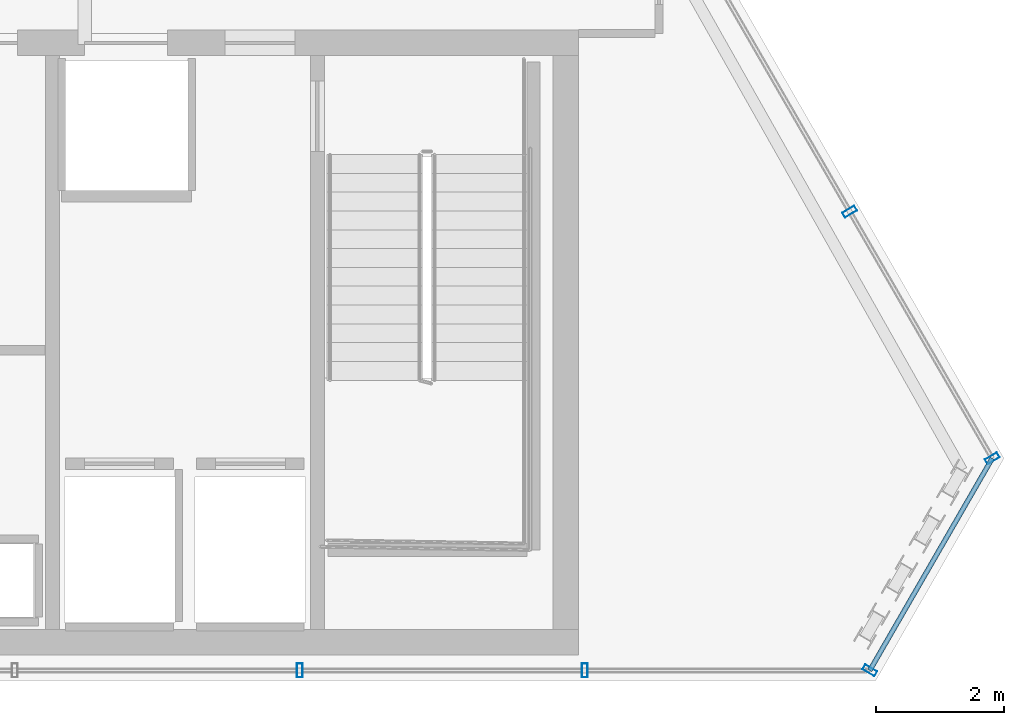
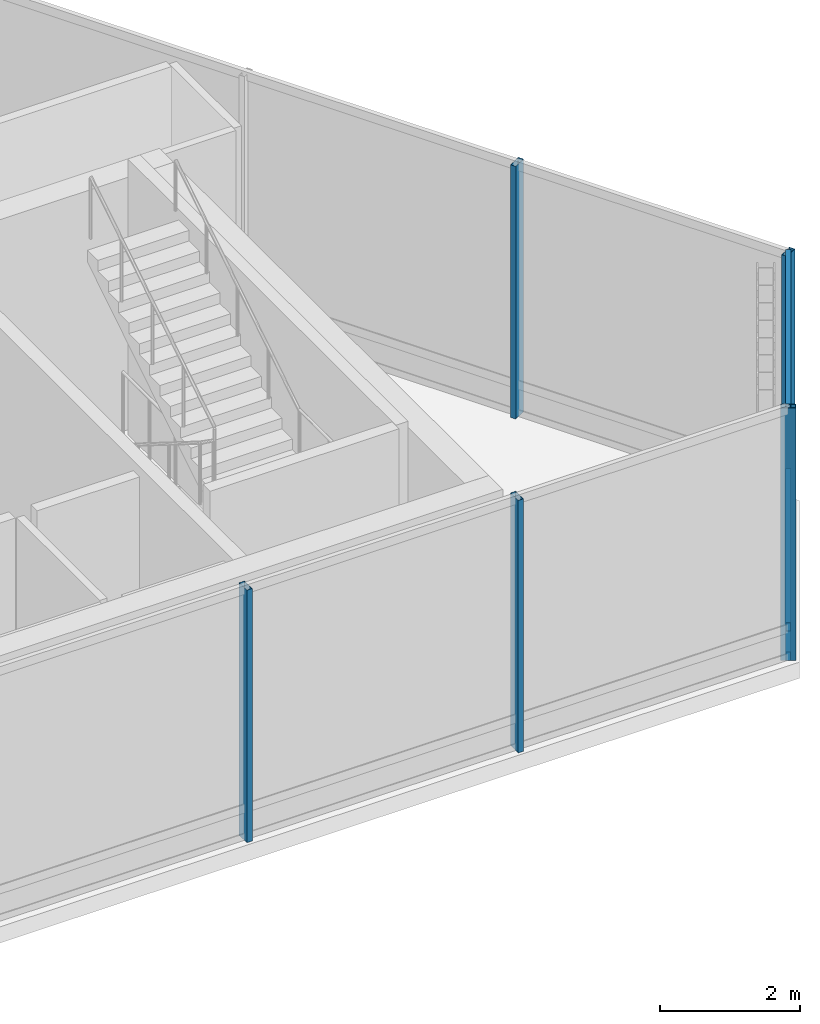
# One storey, part 14 of 25: 8 members, 3 elements without a shape of their own.
"""IFC4 building model written with IfcOpenShell, lengths in metres."""

from ifc_helpers import new_model, si_unit, direction, frame, origin, origin_2d, place, context, subcontext, project, spatial, hollow_rectangle, extrude, material, layer, layer_set, material_profile, profile_set, type_object, element, aggregate, save


model = new_model("IFC4")

# Units and contexts
model_context = context("Model", 3, precision=1e-05, world=origin(), true_north=direction((0.0, 1.0)))
body_context = subcontext(model_context, "Body", "Model", "MODEL_VIEW")
ifc_project = project(units=[si_unit("LENGTHUNIT", "METRE"), si_unit("AREAUNIT", "SQUARE_METRE"), si_unit("VOLUMEUNIT", "CUBIC_METRE"), si_unit("PLANEANGLEUNIT", "RADIAN"), si_unit("MASSUNIT", "GRAM", prefix="KILO")], contexts=[model_context])

# Site, building, storey
site_placement = place(None, origin())
site = spatial("IfcSite", under=ifc_project, at=site_placement, CompositionType="ELEMENT")
building_placement = place(site_placement, origin())
building = spatial("IfcBuilding", under=site, at=building_placement, Name="Ndaravel Arena Tower", CompositionType="ELEMENT")
storey_placement = place(building_placement, frame((0.0, 0.0, 303.300048828125)))
storey = spatial("IfcBuildingStorey", under=building, at=storey_placement, Name="L74", CompositionType="ELEMENT", Elevation=303.300048828125)

# Curtain wall, members
ifc_material_1 = material(Name="Aluminium", Category="aluminium")
ifc_layer = layer(ifc_material_1, 0.179931640625)
ifc_layer_set = layer_set([ifc_layer], Name="Aluminium")
curtain_wall_type = type_object("IfcCurtainWallType", Name="CW-SYS-04", PredefinedType="NOTDEFINED", material=ifc_layer_set)
curtain_wall_1_placement = place(storey_placement, origin())
curtain_wall_1 = element("IfcCurtainWall", 1, at=curtain_wall_1_placement, inside=storey, type_object=curtain_wall_type, Name="L74 Faceted Crystal Curtain Wall CW-L74-E01", PredefinedType="NOTDEFINED")
ifc_material_2 = material(Name="Aluminium", Category="aluminium")
ifc_material_profile_1 = material_profile(ifc_material_2, hollow_rectangle(XDim=0.090087890625, YDim=0.219970703125, WallThickness=0.0048828125, at=origin_2d()), Name="CW MULLION 90x220x5")
ifc_profile_set_1 = profile_set([ifc_material_profile_1], Name="Aluminium")
member_type_1 = type_object("IfcMemberType", Name="MEM-CW-MUL220", PredefinedType="MULLION", material=ifc_profile_set_1)
member_1_placement = place(storey_placement, frame((53.175048828125, 5.159912109375, 0.0), z_axis=(0.0, 0.0, 1.0), x_axis=(1.0, 0.0, 0.0)))
member_1 = element("IfcMember", 2, at=member_1_placement, type_object=member_type_1, Name="CW-L74-E01 Mullion 07", PredefinedType="MULLION", context=body_context, shape_type="SweptSolid", body=[
    extrude(hollow_rectangle(XDim=0.090087890625, YDim=0.219970703125, WallThickness=0.0048828125, at=origin_2d()), origin(), (0.0, 0.0, 1.0), 4.39990234375),
])
member_2_placement = place(storey_placement, frame((57.64501953125, 5.159912109375, 0.0), z_axis=(0.0, 0.0, 1.0), x_axis=(1.0, 0.0, 0.0)))
member_2 = element("IfcMember", 3, at=member_2_placement, type_object=member_type_1, Name="CW-L74-E01 Mullion 08", PredefinedType="MULLION", context=body_context, shape_type="SweptSolid", body=[
    extrude(hollow_rectangle(XDim=0.090087890625, YDim=0.219970703125, WallThickness=0.0048828125, at=origin_2d()), origin(), (0.0, 0.0, 1.0), 4.39990234375),
])
aggregate(curtain_wall_1, [member_1, member_2])

# Curtain wall, member
curtain_wall_2_placement = place(storey_placement, origin())
curtain_wall_2 = element("IfcCurtainWall", 4, at=curtain_wall_2_placement, inside=storey, type_object=curtain_wall_type, Name="L74 Faceted Crystal Curtain Wall CW-L74-E02", PredefinedType="NOTDEFINED")
member_3_placement = place(storey_placement, frame((62.114990234375, 5.159912109375, 0.0), z_axis=(0.0, 0.0, 1.0), x_axis=(0.5, 0.866025403784, 0.0)))
member_3 = element("IfcMember", 5, at=member_3_placement, type_object=member_type_1, Name="CW-L74-E02 Mullion 00", PredefinedType="MULLION", context=body_context, shape_type="SweptSolid", body=[
    extrude(hollow_rectangle(XDim=0.090087890625, YDim=0.219970703125, WallThickness=0.0048828125, at=origin_2d()), origin(), (0.0, 0.0, 1.0), 4.39990234375),
])

# Curtain wall, members
curtain_wall_3_placement = place(storey_placement, origin())
curtain_wall_3 = element("IfcCurtainWall", 6, at=curtain_wall_3_placement, inside=storey, type_object=curtain_wall_type, Name="L74 Faceted Crystal Curtain Wall CW-L74-E03", PredefinedType="NOTDEFINED")
member_4_placement = place(storey_placement, frame((64.034912109375, 8.485107421875, 0.0), z_axis=(0.0, 0.0, 1.0), x_axis=(-0.5, 0.866025403784, 0.0)))
member_4 = element("IfcMember", 7, at=member_4_placement, type_object=member_type_1, Name="CW-L74-E03 Mullion 00", PredefinedType="MULLION", context=body_context, shape_type="SweptSolid", body=[
    extrude(hollow_rectangle(XDim=0.090087890625, YDim=0.219970703125, WallThickness=0.0048828125, at=origin_2d()), origin(), (0.0, 0.0, 1.0), 4.39990234375),
])
member_5_placement = place(storey_placement, frame((61.7998046875, 12.356201171875, 0.0), z_axis=(0.0, 0.0, 1.0), x_axis=(-0.5, 0.866025403784, 0.0)))
member_5 = element("IfcMember", 8, at=member_5_placement, type_object=member_type_1, Name="CW-L74-E03 Mullion 01", PredefinedType="MULLION", context=body_context, shape_type="SweptSolid", body=[
    extrude(hollow_rectangle(XDim=0.090087890625, YDim=0.219970703125, WallThickness=0.0048828125, at=origin_2d()), origin(), (0.0, 0.0, 1.0), 4.39990234375),
])
aggregate(curtain_wall_3, [member_4, member_5])

# Member
ifc_material_3 = material(Name="Aluminium", Category="aluminium")
ifc_material_profile_2 = material_profile(ifc_material_3, hollow_rectangle(XDim=0.074951171875, YDim=0.14990234375, WallThickness=0.00390625, at=origin_2d()), Name="CW TRANSOM 75x150x4")
ifc_profile_set_2 = profile_set([ifc_material_profile_2], Name="Aluminium")
member_type_2 = type_object("IfcMemberType", Name="MEM-CW-TRN150", PredefinedType="USERDEFINED", material=ifc_profile_set_2)
member_6_placement = place(storey_placement, frame((62.114990234375, 5.159912109375, 0.0400390625), z_axis=(0.500023335103, 0.866011930837, 0.0), x_axis=(-0.866011930837, 0.500023335103, 0.0)))
member_6 = element("IfcMember", 9, at=member_6_placement, type_object=member_type_2, Name="CW-L74-E02 Transom 01", ObjectType="TRANSOM", PredefinedType="USERDEFINED", context=body_context, shape_type="SweptSolid", body=[
    extrude(hollow_rectangle(XDim=0.074951171875, YDim=0.14990234375, WallThickness=0.00390625, at=origin_2d()), origin(), (0.0, 0.0, 1.0), 3.839599609375),
])

member_7_placement = place(storey_placement, frame((62.114990234375, 5.159912109375, 0.550048828125), z_axis=(0.500023335103, 0.866011930837, 0.0), x_axis=(-0.866011930837, 0.500023335103, 0.0)))
member_7 = element("IfcMember", 10, at=member_7_placement, type_object=member_type_2, Name="CW-L74-E02 Transom 02", ObjectType="TRANSOM", PredefinedType="USERDEFINED", context=body_context, shape_type="SweptSolid", body=[
    extrude(hollow_rectangle(XDim=0.074951171875, YDim=0.14990234375, WallThickness=0.00390625, at=origin_2d()), origin(), (0.0, 0.0, 1.0), 3.839599609375),
])

member_8_placement = place(storey_placement, frame((62.114990234375, 5.159912109375, 4.35986328125), z_axis=(0.500023335103, 0.866011930837, 0.0), x_axis=(-0.866011930837, 0.500023335103, 0.0)))
member_8 = element("IfcMember", 11, at=member_8_placement, type_object=member_type_2, Name="CW-L74-E02 Transom 03", ObjectType="TRANSOM", PredefinedType="USERDEFINED", context=body_context, shape_type="SweptSolid", body=[
    extrude(hollow_rectangle(XDim=0.074951171875, YDim=0.14990234375, WallThickness=0.00390625, at=origin_2d()), origin(), (0.0, 0.0, 1.0), 3.839599609375),
])

aggregate(curtain_wall_2, [member_3, member_6, member_7, member_8])

save(model, "model.ifc")
